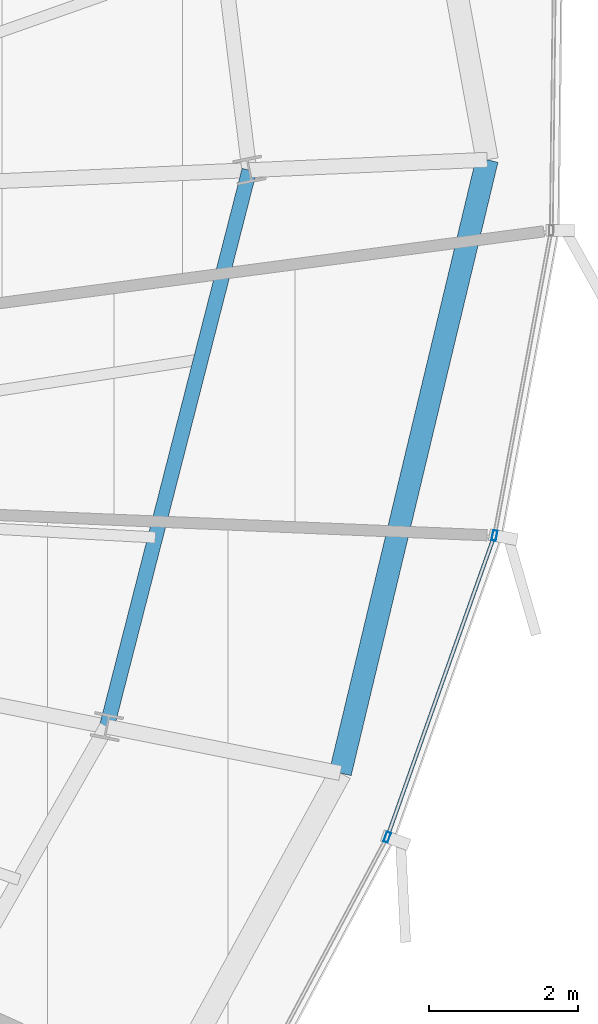
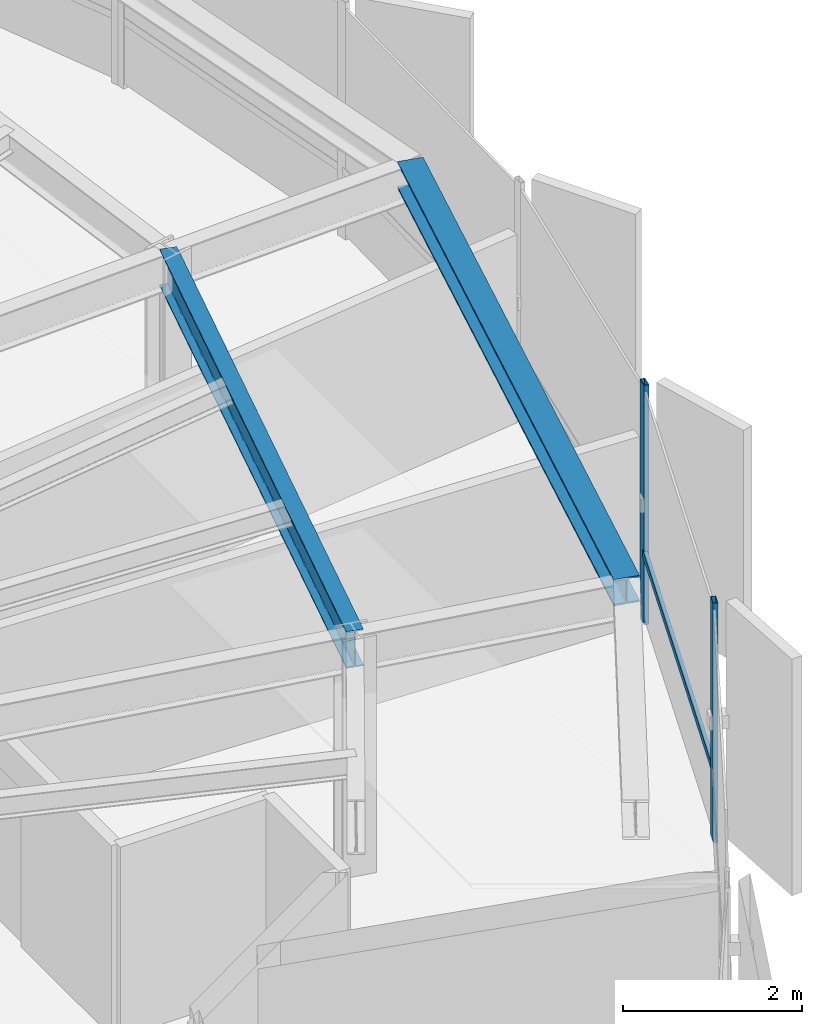
# One storey, part 18 of 37: 3 members, 2 beams, 1 element without a shape of its own.
"""IFC4 building model written with IfcOpenShell, lengths in metres."""

from ifc_helpers import new_model, si_unit, direction, frame, origin, origin_2d, place, context, subcontext, project, spatial, hollow_rectangle, i_section, extrude, source, transform, mapped, material, layer, layer_set, material_profile, profile_set, type_object, element, aggregate, save


model = new_model("IFC4")

# Units and contexts
model_context = context("Model", 3, precision=1e-05, world=origin(), true_north=direction((0.0, 1.0)))
body_context = subcontext(model_context, "Body", "Model", "MODEL_VIEW")
ifc_project = project(units=[si_unit("LENGTHUNIT", "METRE"), si_unit("AREAUNIT", "SQUARE_METRE"), si_unit("VOLUMEUNIT", "CUBIC_METRE"), si_unit("PLANEANGLEUNIT", "RADIAN"), si_unit("MASSUNIT", "GRAM", prefix="KILO"), si_unit("THERMODYNAMICTEMPERATUREUNIT", "KELVIN")], contexts=[model_context])

# Site, building, storey
site_placement = place(None, origin())
site = spatial("IfcSite", under=ifc_project, at=site_placement, CompositionType="ELEMENT")
building_placement = place(site_placement, origin())
building = spatial("IfcBuilding", under=site, at=building_placement, Name="Kethvar Cultural Tower", CompositionType="ELEMENT")
storey_placement = place(building_placement, frame((0.0, 0.0, 200.89990234375)))
storey = spatial("IfcBuildingStorey", under=building, at=storey_placement, Name="L52", CompositionType="ELEMENT", Elevation=200.89990234375)

# Beams
ifc_material_1 = material(Name="Steel S355J2", Category="steel")
ifc_material_profile_1 = material_profile(ifc_material_1, i_section(OverallWidth=0.199951171875, OverallDepth=0.5, WebThickness=0.01025390625, FlangeThickness=0.01611328125, FilletRadius=0.02099609375, at=origin_2d()), Name="Steel S355J2 — IPE500")
ifc_profile_set_1 = profile_set([ifc_material_profile_1], Name="Steel S355J2 — IPE500")
beam_type_1 = type_object("IfcBeamType", Name="BM-IPE500", PredefinedType="BEAM", material=ifc_profile_set_1)
shared_shape_1 = source(origin(), body_context, "Body", "SweptSolid", [
    extrude(i_section(OverallWidth=0.199951171875, OverallDepth=0.5, WebThickness=0.01025390625, FlangeThickness=0.01611328125, FilletRadius=0.02099609375, at=origin_2d()), origin(), (0.0, 0.0, 1.0), 7.72265625),
])
beam_1_placement = place(storey_placement, frame((64.648681640625, 24.249755859375, 3.008056640625), z_axis=(0.248006445258, 0.968758382214, 0.0), x_axis=(-0.968758382214, 0.248006445258, 0.0)))
element("IfcBeam", 1, at=beam_1_placement, inside=storey, type_object=beam_type_1, Name="L52 Column Ring Tie Beam CR-16", PredefinedType="BEAM", context=body_context, shape_type="MappedRepresentation", body=[
    mapped(shared_shape_1, transform((0.0, 0.0, 0.0), scale=1.0)),
])
ifc_material_profile_2 = material_profile(ifc_material_1, i_section(OverallWidth=0.300048828125, OverallDepth=0.360107421875, WebThickness=0.012451171875, FlangeThickness=0.0224609375, FilletRadius=0.027099609375, at=origin_2d()), Name="Steel S355J2 — HEB360")
ifc_profile_set_2 = profile_set([ifc_material_profile_2], Name="Steel S355J2 — HEB360")
beam_type_2 = type_object("IfcBeamType", Name="BM-SP360", PredefinedType="SPANDREL", material=ifc_profile_set_2)
shared_shape_2 = source(origin(), body_context, "Body", "SweptSolid", [
    extrude(i_section(OverallWidth=0.300048828125, OverallDepth=0.360107421875, WebThickness=0.012451171875, FlangeThickness=0.0224609375, FilletRadius=0.027099609375, at=origin_2d()), origin(), (0.0, 0.0, 1.0), 8.47900390625),
])
beam_2_placement = place(storey_placement, frame((67.787109375, 23.62548828125, 3.078125), z_axis=(0.232794647368, 0.97252591336, 0.0), x_axis=(-0.97252591336, 0.232794647368, 0.0)))
element("IfcBeam", 2, at=beam_2_placement, inside=storey, type_object=beam_type_2, Name="L52 Perimeter Spandrel Beam SP-16", PredefinedType="SPANDREL", context=body_context, shape_type="MappedRepresentation", body=[
    mapped(shared_shape_2, transform((0.0, 0.0, 0.0), scale=1.0)),
])

# Curtain wall, members
ifc_material_2 = material(Name="Aluminium 6063-T6", Category="aluminium")
ifc_layer = layer(ifc_material_2, 0.179931640625, Name="Aluminium 6063-T6", Category="aluminium")
ifc_layer_set = layer_set([ifc_layer], Name="Aluminium 6063-T6 (180 mm)")
curtain_wall_type = type_object("IfcCurtainWallType", Name="CW-SYS-04-Z34", PredefinedType="NOTDEFINED", material=ifc_layer_set)
curtain_wall_placement = place(storey_placement, origin())
curtain_wall = element("IfcCurtainWall", 3, at=curtain_wall_placement, inside=storey, type_object=curtain_wall_type, Name="L52 Curtain Wall Run 06", PredefinedType="NOTDEFINED")
ifc_material_profile_3 = material_profile(ifc_material_2, hollow_rectangle(XDim=0.06005859375, YDim=0.139892578125, WallThickness=0.0048828125, at=origin_2d()), Name="Aluminium 6063-T6 — RHS140x60x5")
ifc_profile_set_3 = profile_set([ifc_material_profile_3], Name="Aluminium 6063-T6 — RHS140x60x5")
member_type_1 = type_object("IfcMemberType", Name="CW-SYS-04-Z34-MUL", PredefinedType="MULLION", material=ifc_profile_set_3)
shared_shape_3 = source(origin(), body_context, "Body", "SweptSolid", [
    extrude(hollow_rectangle(XDim=0.06005859375, YDim=0.139892578125, WallThickness=0.0048828125, at=origin_2d()), origin(), (0.0, 0.0, 1.0), 3.260009765625),
])
member_1_placement = place(storey_placement, frame((68.417724609375, 22.763427734375, 0.0), z_axis=(0.0, 0.0, 1.0), x_axis=(-0.94229725568, 0.334777361746, 0.0)))
member_1 = element("IfcMember", 4, at=member_1_placement, type_object=member_type_1, Name="CW-L52-R06 Mullion 3", PredefinedType="MULLION", context=body_context, shape_type="MappedRepresentation", body=[
    mapped(shared_shape_3, transform((0.0, 0.0, 0.0), scale=1.0)),
])
member_2_placement = place(storey_placement, frame((69.860107421875, 26.818603515625, 0.0), z_axis=(0.0, 0.0, 1.0), x_axis=(-0.983194421914, 0.182561575141, 0.0)))
member_2 = element("IfcMember", 5, at=member_2_placement, type_object=member_type_1, Name="CW-L52-R06 Mullion 4", PredefinedType="MULLION", context=body_context, shape_type="MappedRepresentation", body=[
    mapped(shared_shape_3, transform((0.0, 0.0, 0.0), scale=1.0)),
])
ifc_material_profile_4 = material_profile(ifc_material_2, hollow_rectangle(XDim=0.050048828125, YDim=0.10009765625, WallThickness=0.00390625, at=origin_2d()), Name="Aluminium 6063-T6 — RHS100x50x4")
ifc_profile_set_4 = profile_set([ifc_material_profile_4], Name="Aluminium 6063-T6 — RHS100x50x4")
member_type_2 = type_object("IfcMemberType", Name="CW-SYS-04-Z34-TRN", PredefinedType="USERDEFINED", material=ifc_profile_set_4)
shared_shape_4 = source(origin(), body_context, "Body", "SweptSolid", [
    extrude(hollow_rectangle(XDim=0.050048828125, YDim=0.10009765625, WallThickness=0.00390625, at=origin_2d()), origin(), (0.0, 0.0, 1.0), 4.23486328125),
])
member_3_placement = place(storey_placement, frame((68.432373046875, 22.80419921875, 0.9501953125), z_axis=(0.334776502667, 0.942297560891, 0.0), x_axis=(-0.942297560891, 0.334776502667, 0.0)))
member_3 = element("IfcMember", 6, at=member_3_placement, type_object=member_type_2, Name="CW-L52-R06 Transom 3", ObjectType="TRANSOM", PredefinedType="USERDEFINED", context=body_context, shape_type="MappedRepresentation", body=[
    mapped(shared_shape_4, transform((0.0, 0.0, 0.0), scale=1.0)),
])
aggregate(curtain_wall, [member_1, member_2, member_3])

save(model, "model.ifc")
